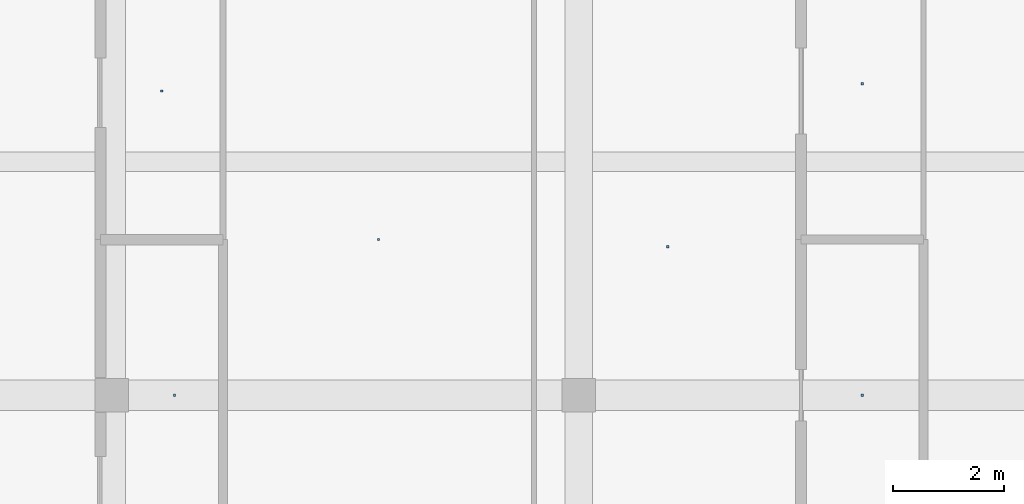
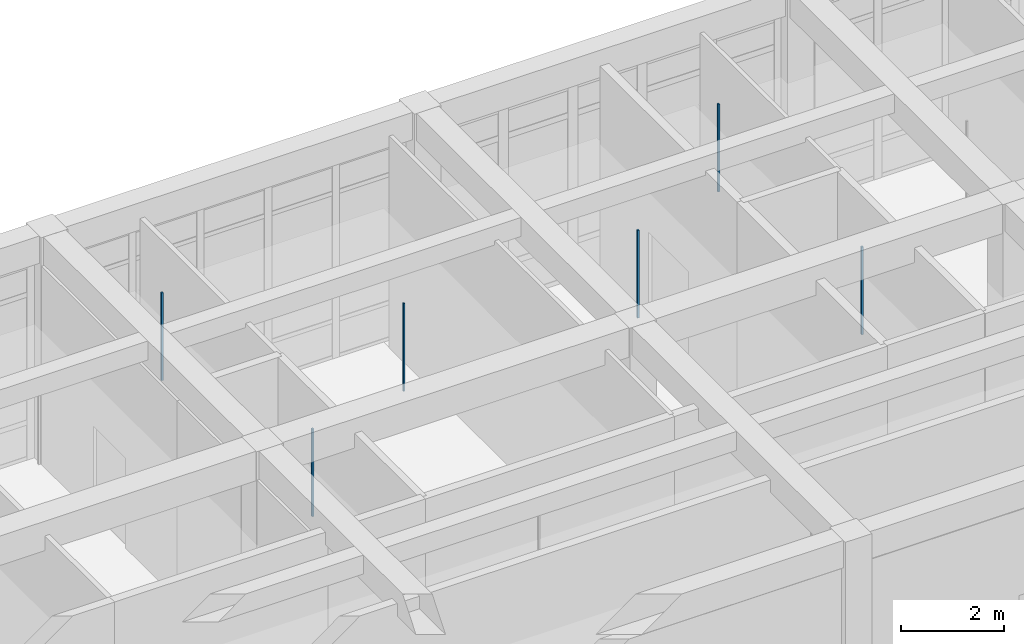
# One storey, part 104 of 157: 6 discrete accessories.
"""IFC4 building model written with IfcOpenShell, lengths in metres."""

from ifc_helpers import new_model, si_unit, direction, frame, origin, origin_2d, place, context, subcontext, project, spatial, rectangle, extrude, material, type_object, element, save


model = new_model("IFC4")

# Units and contexts
model_context = context("Model", 3, precision=1e-05, world=origin(), true_north=direction((0.0, 1.0)))
body_context = subcontext(model_context, "Body", "Model", "MODEL_VIEW")
ifc_project = project(units=[si_unit("LENGTHUNIT", "METRE"), si_unit("AREAUNIT", "SQUARE_METRE"), si_unit("VOLUMEUNIT", "CUBIC_METRE"), si_unit("PLANEANGLEUNIT", "RADIAN"), si_unit("MASSUNIT", "GRAM", prefix="KILO")], contexts=[model_context])

# Site, building, storey
site_placement = place(None, origin())
site = spatial("IfcSite", under=ifc_project, at=site_placement, CompositionType="ELEMENT")
building_placement = place(site_placement, origin())
building = spatial("IfcBuilding", under=site, at=building_placement, Name="Varncliffe General Hospital", CompositionType="ELEMENT")
storey_placement = place(building_placement, frame((0.0, 0.0, 5.39990234375)))
storey = spatial("IfcBuildingStorey", under=building, at=storey_placement, Name="L01", CompositionType="ELEMENT", Elevation=5.39990234375)

# Discrete accessories
ifc_material = material(Name="Powder-coated hospital steel guardrail and handrail", Category="steel")
discrete_accessory_type = type_object("IfcDiscreteAccessoryType", Name="Suspended Ceiling Hanger Bracket CH01", PredefinedType="BRACKET", material=ifc_material)
for number, where, z_axis, x_axis, name in (
    (1, (34.72998046875, 32.39990234375, 3.18994140625), (0.0, 0.0, 1.0), (1.0, 0.0, 0.0), "L01 Suspended Ceiling Hanger 136"),
    (2, (34.5, 37.8701171875, 3.18994140625), (0.0, 0.0, 1.0), (1.0, 0.0, 0.0), "L01 Suspended Ceiling Hanger 137"),
    (3, (38.39990234375, 35.199951171875, 3.18994140625), (0.0, 0.0, 1.0), (1.0, 0.0, 0.0), "L01 Suspended Ceiling Hanger 138"),
    (4, (43.60009765625, 35.070068359375, 3.18994140625), (0.0, 0.0, 1.0), (1.0, 0.0, 0.0), "L01 Suspended Ceiling Hanger 139"),
    (5, (47.10009765625, 32.39990234375, 3.18994140625), (0.0, 0.0, 1.0), (1.0, 0.0, 0.0), "L01 Suspended Ceiling Hanger 140"),
    (6, (47.10009765625, 38.0, 3.18994140625), (0.0, 0.0, 1.0), (1.0, 0.0, 0.0), "L01 Suspended Ceiling Hanger 141"),
):
    element("IfcDiscreteAccessory", number, at=place(storey_placement, frame(where, z_axis=z_axis, x_axis=x_axis)), inside=storey, type_object=discrete_accessory_type, Name=name, PredefinedType="BRACKET", context=body_context, shape_type="SweptSolid", body=[
        extrude(rectangle(XDim=0.0400390625, YDim=0.0400390625, at=origin_2d()), origin(), (0.0, 0.0, 1.0), 2.090087890625),
    ])

save(model, "model.ifc")
